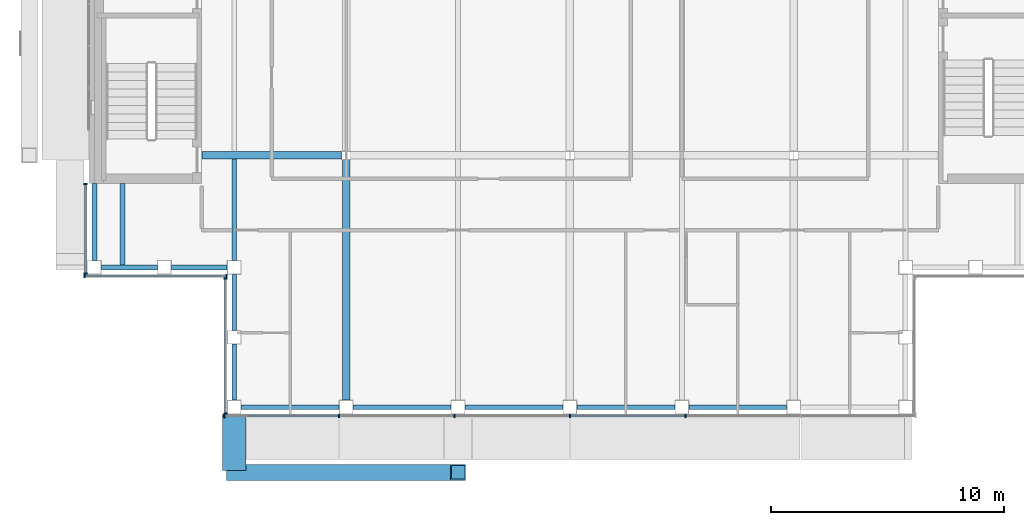
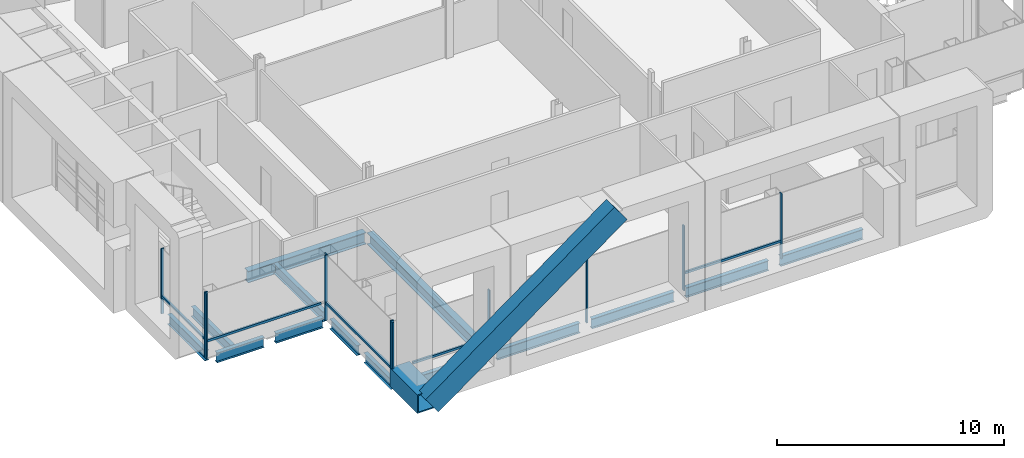
# One storey, part 4 of 23: 17 members, 15 beams, 4 elements without a shape of their own.
"""IFC4 building model written with IfcOpenShell, lengths in metres."""

import ifcopenshell
import ifcopenshell.guid

model = None  # the IFC model being written
_history = None  # IfcOwnerHistory: only IFC2X3 demands one
_inside = {}  # id of a spatial element -> (the spatial element, [elements in it])
_under = {}  # id of a project, library or spatial element -> (it, [spatial elements below it])
_declared = {}  # id of a project -> (the project, [libraries it declares])
_typed = {}  # id of a type object -> (the type object, [elements of that type])
_made_of = {}  # id of a material, layer set ... -> (it, [elements and type objects made of it])


def new_model(schema):
    """Start an empty IFC model of exactly this schema.

    Asked for "IFC4X3", IfcOpenShell would pick the latest addendum, in which some entities
    have other attributes; the version numbers below select the first issue.
    IFC2X3 requires an IfcOwnerHistory on every rooted entity: one is made here for all.
    """
    global model, _history
    if schema == "IFC4X3":
        model = ifcopenshell.file(schema_version=(4, 3, 0, 0))
    else:
        model = ifcopenshell.file(schema=schema)
    _inside.clear()
    _under.clear()
    _declared.clear()
    _typed.clear()
    _made_of.clear()
    _history = None
    if model.schema == "IFC2X3":
        org = make("IfcOrganization", Name="unknown")
        user = make(
            "IfcPersonAndOrganization",
            ThePerson=make("IfcPerson", FamilyName="unknown"),
            TheOrganization=org,
        )
        app = make(
            "IfcApplication",
            ApplicationDeveloper=org,
            Version="unknown",
            ApplicationFullName="unknown",
            ApplicationIdentifier="unknown",
        )
        _history = make(
            "IfcOwnerHistory",
            OwningUser=user,
            OwningApplication=app,
            ChangeAction="ADDED",
            CreationDate=0,
        )
    return model


def make(cls, **values):
    """One entity of the class cls with the attributes given. An attribute that is None is left unset."""
    return model.create_entity(
        cls, **{name: value for name, value in values.items() if value is not None}
    )


def rooted(cls, **values):
    """An entity with a GlobalId (a new one), such as an element, a storey or a relation."""
    return make(cls, GlobalId=ifcopenshell.guid.new(), OwnerHistory=_history, **values)


def si_unit(unit_type, name, prefix=None):
    """IfcSIUnit, for example si_unit("LENGTHUNIT", "METRE", prefix="MILLI")."""
    return make("IfcSIUnit", UnitType=unit_type, Prefix=prefix, Name=name)


def assignment(units):
    """IfcUnitAssignment: the units of a project."""
    return None if units is None else make("IfcUnitAssignment", Units=units)


def point(xyz):
    """IfcCartesianPoint."""
    return None if xyz is None else make("IfcCartesianPoint", Coordinates=xyz)


def direction(xyz):
    """IfcDirection."""
    return None if xyz is None else make("IfcDirection", DirectionRatios=xyz)


def frame(location, z_axis=None, x_axis=None):
    """IfcAxis2Placement3D, a coordinate frame: its origin and axes. An axis left out is left unset."""
    return make(
        "IfcAxis2Placement3D",
        Location=point(location),
        Axis=direction(z_axis),
        RefDirection=direction(x_axis),
    )


def frame_2d(location, x_axis=None):
    """IfcAxis2Placement2D, a coordinate frame in the plane: its origin and x axis."""
    return make(
        "IfcAxis2Placement2D", Location=point(location), RefDirection=direction(x_axis)
    )


def origin():
    """The frame at (0, 0, 0) with its axes left unset."""
    return frame((0.0, 0.0, 0.0))


def origin_2d():
    """The frame at (0, 0) in the plane with its x axis left unset."""
    return frame_2d((0.0, 0.0))


def place(relative_to, where):
    """IfcLocalPlacement: puts the frame where relative to a parent placement (None: the world)."""
    return make(
        "IfcLocalPlacement", PlacementRelTo=relative_to, RelativePlacement=where
    )


def context(
    kind, dimensions, precision=None, world=None, true_north=None, identifier=None
):
    """IfcGeometricRepresentationContext, for example the 3D "Model" context."""
    return make(
        "IfcGeometricRepresentationContext",
        ContextIdentifier=identifier,
        ContextType=kind,
        CoordinateSpaceDimension=dimensions,
        Precision=precision,
        WorldCoordinateSystem=world,
        TrueNorth=true_north,
    )


def subcontext(parent, identifier, kind, view, scale=None):
    """IfcGeometricRepresentationSubContext, for example "Body" below "Model"."""
    return make(
        "IfcGeometricRepresentationSubContext",
        ContextIdentifier=identifier,
        ContextType=kind,
        ParentContext=parent,
        TargetScale=scale,
        TargetView=view,
    )


def project(units=None, contexts=None):
    """IfcProject with its units and contexts."""
    return rooted(
        "IfcProject",
        Name="project",
        RepresentationContexts=contexts,
        UnitsInContext=assignment(units),
    )


def spatial(cls, under=None, at=None, **own):
    """A site, building, storey or space (cls), placed at a placement, below another one or the project."""
    s = rooted(cls, ObjectPlacement=at, **own)
    if under is not None:
        _under.setdefault(under.id(), (under, []))[1].append(s)
    return s


def profile(cls, at=None, kind="AREA", **sizes):
    """A parametric profile (cls). Its sizes go by their IFC names, for example OverallWidth=200.0."""
    return make(cls, ProfileType=kind, Position=at, **sizes)


def rectangle(**sizes):
    """IfcRectangleProfileDef."""
    return profile("IfcRectangleProfileDef", **sizes)


def hollow_rectangle(**sizes):
    """IfcRectangleHollowProfileDef."""
    return profile("IfcRectangleHollowProfileDef", **sizes)


def i_section(**sizes):
    """IfcIShapeProfileDef."""
    return profile("IfcIShapeProfileDef", **sizes)


def extrude(swept, where, along, depth):
    """IfcExtrudedAreaSolid: the profile swept, set in the frame where, extruded along a direction by depth."""
    return make(
        "IfcExtrudedAreaSolid",
        SweptArea=swept,
        Position=where,
        ExtrudedDirection=direction(along),
        Depth=depth,
    )


def shape(context_of_items, identifier, shape_type, items):
    """IfcShapeRepresentation: the items that make up one representation, for example the "Body"."""
    return make(
        "IfcShapeRepresentation",
        ContextOfItems=context_of_items,
        RepresentationIdentifier=identifier,
        RepresentationType=shape_type,
        Items=items,
    )


def material(Name=None, Category=None):
    """IfcMaterial."""
    return make("IfcMaterial", Name=Name, Category=Category)


def material_profile(
    of_material, cross_section, Name=None, Category=None, Priority=None
):
    """IfcMaterialProfile: a cross section and its material."""
    return make(
        "IfcMaterialProfile",
        Name=Name,
        Material=of_material,
        Profile=cross_section,
        Priority=Priority,
        Category=Category,
    )


def profile_set(profiles, Name=None, composite=None):
    """IfcMaterialProfileSet."""
    return make(
        "IfcMaterialProfileSet",
        Name=Name,
        MaterialProfiles=profiles,
        CompositeProfile=composite,
    )


def made_of(thing, what):
    """Note that an element or type object is made of a material, layer set ...; save() writes the relation."""
    if what is not None:
        _made_of.setdefault(what.id(), (what, []))[1].append(thing)
    return thing


def type_object(cls, material=None, **own):
    """A type object (cls), such as IfcWallType, which elements share."""
    return made_of(rooted(cls, **own), material)


def element(
    cls,
    number,
    at=None,
    inside=None,
    cuts=None,
    type_object=None,
    material=None,
    context=None,
    identifier="Body",
    shape_type=None,
    held_by="IfcProductDefinitionShape",
    body=None,
    shapes=None,
    **own,
):
    """One element of the class cls, such as IfcWall. Its Tag is "e" and its number.

    at: its placement. inside: the storey or other place that contains it. cuts: it is an
    opening in that element (IfcRelVoidsElement). A single representation is given by context,
    identifier, shape_type and body (its items); several are given by shapes. held_by: the class
    of the entity that holds the representations. save() writes the other relations.
    """
    e = rooted(cls, Tag="e%d" % number, ObjectPlacement=at, **own)
    if body is not None:
        shapes = [shape(context, identifier, shape_type, body)]
    if shapes is not None:
        e.Representation = make(held_by, Representations=shapes)
    if inside is not None:
        _inside.setdefault(inside.id(), (inside, []))[1].append(e)
    if cuts is not None:
        rooted(
            "IfcRelVoidsElement", RelatingBuildingElement=cuts, RelatedOpeningElement=e
        )
    if type_object is not None:
        _typed.setdefault(type_object.id(), (type_object, []))[1].append(e)
    return made_of(e, material)


def aggregate(whole, parts):
    """IfcRelAggregates: a whole, such as a stair, and the parts it consists of."""
    return rooted("IfcRelAggregates", RelatingObject=whole, RelatedObjects=parts)


def save(model, path):
    """Write the relations noted so far, then the file.

    IfcRelAggregates (storeys below a building ...), IfcRelContainedInSpatialStructure (elements
    in a storey), IfcRelDefinesByType, IfcRelAssociatesMaterial and IfcRelDeclares: one each for
    every whole, place, type object, material and project.
    """
    for whole, parts in _under.values():
        aggregate(whole, parts)
    for where, things in _inside.values():
        rooted(
            "IfcRelContainedInSpatialStructure",
            RelatedElements=things,
            RelatingStructure=where,
        )
    for kind, things in _typed.values():
        rooted("IfcRelDefinesByType", RelatedObjects=things, RelatingType=kind)
    for what, things in _made_of.values():
        rooted("IfcRelAssociatesMaterial", RelatedObjects=things, RelatingMaterial=what)
    for by, libraries in _declared.values():
        rooted("IfcRelDeclares", RelatingContext=by, RelatedDefinitions=libraries)
    model.write(path)


model = new_model("IFC4")

# Units and contexts
model_context = context("Model", 3, precision=1e-05, world=origin(), true_north=direction((0.0, 1.0)))
body_context = subcontext(model_context, "Body", "Model", "MODEL_VIEW")
ifc_project = project(units=[si_unit("LENGTHUNIT", "METRE"), si_unit("AREAUNIT", "SQUARE_METRE"), si_unit("VOLUMEUNIT", "CUBIC_METRE"), si_unit("PLANEANGLEUNIT", "RADIAN"), si_unit("MASSUNIT", "GRAM", prefix="KILO")], contexts=[model_context])

# Site, building, storey
site_placement = place(None, origin())
site = spatial("IfcSite", under=ifc_project, at=site_placement, CompositionType="ELEMENT")
building_placement = place(site_placement, origin())
building = spatial("IfcBuilding", under=site, at=building_placement, Name="Cobrizo Arcos Hotel Tower", CompositionType="ELEMENT")
storey_placement = place(building_placement, frame((0.0, 0.0, 255.0)))
storey = spatial("IfcBuildingStorey", under=building, at=storey_placement, Name="L67", CompositionType="ELEMENT", Elevation=255.0)

# Beam
ifc_material_1 = material(Name="Steel ASTM A572 Grade 50", Category="steel")
ifc_material_profile_1 = material_profile(ifc_material_1, hollow_rectangle(XDim=1.0, YDim=1.0, WallThickness=0.06005859375, at=origin_2d()), Name="BOX 1000X1000X60")
ifc_profile_set_1 = profile_set([ifc_material_profile_1], Name="Steel ASTM A572 Grade 50")
beam_type_1 = type_object("IfcBeamType", Name="BOX 1000X1000X60 brace connector strut", PredefinedType="BEAM", material=ifc_profile_set_1)
beam_1_placement = place(storey_placement, frame((-14.39990234375, -20.68994140625, 0.5), z_axis=(0.0, -1.0, 0.0), x_axis=(1.0, 0.0, 0.0)))
element("IfcBeam", 1, at=beam_1_placement, inside=storey, type_object=beam_type_1, Name="Perimeter brace stub BS1, zone Z5, south face, offset -14.40 m, L67", PredefinedType="BEAM", context=body_context, shape_type="SweptSolid", body=[
    extrude(hollow_rectangle(XDim=1.0, YDim=1.0, WallThickness=0.06005859375, at=origin_2d()), origin(), (0.0, 0.0, 1.0), 2.43017578125),
])

# Member
ifc_material_profile_2 = material_profile(ifc_material_1, hollow_rectangle(XDim=0.699951171875, YDim=1.10009765625, WallThickness=0.06005859375, at=origin_2d()), Name="BOX 700X1100X60")
ifc_profile_set_2 = profile_set([ifc_material_profile_2], Name="Steel ASTM A572 Grade 50")
member_type_1 = type_object("IfcMemberType", Name="BOX 700X1100X60 perimeter brace", PredefinedType="BRACE", material=ifc_profile_set_2)
member_1_placement = place(storey_placement, frame((-14.39990234375, -23.199951171875, 0.5), z_axis=(0.808003250388, 0.0, 0.589178026884), x_axis=(0.0, 1.0, 0.0)))
element("IfcMember", 2, at=member_1_placement, inside=storey, type_object=member_type_1, Name="Perimeter brace PBR5, zone Z5, south face, no. 02", PredefinedType="BRACE", context=body_context, shape_type="SweptSolid", body=[
    extrude(hollow_rectangle(XDim=0.699951171875, YDim=1.10009765625, WallThickness=0.06005859375, at=origin_2d()), origin(), (0.0, 0.0, 1.0), 11.880859375),
])

# Curtain wall, members
ifc_material_2 = material(Name="Aluminium 6063-T6 anodised bronze", Category="aluminium")
curtain_wall_type = type_object("IfcCurtainWallType", Name="CW-A guest facade", PredefinedType="NOTDEFINED", material=ifc_material_2)
curtain_wall_1_placement = place(storey_placement, origin())
curtain_wall_1 = element("IfcCurtainWall", 3, at=curtain_wall_1_placement, inside=storey, type_object=curtain_wall_type, Name="CW-A L67 S face", PredefinedType="NOTDEFINED")
ifc_material_profile_3 = material_profile(ifc_material_2, rectangle(XDim=0.14990234375, YDim=0.06005859375, at=origin_2d()), Name="CW-A mullion 150x60")
ifc_profile_set_3 = profile_set([ifc_material_profile_3], Name="Aluminium 6063-T6 anodised bronze")
member_type_2 = type_object("IfcMemberType", Name="CW-A mullion 150x60", PredefinedType="MULLION", material=ifc_profile_set_3)
member_2_placement = place(storey_placement, frame((-14.820068359375, -20.77490234375, 0.0), z_axis=(0.0, 0.0, 1.0), x_axis=(0.0, -1.0, 0.0)))
member_2 = element("IfcMember", 4, at=member_2_placement, type_object=member_type_2, Name="CW-A mullion 1", PredefinedType="MULLION", context=body_context, shape_type="SweptSolid", body=[
    extrude(rectangle(XDim=0.14990234375, YDim=0.06005859375, at=origin_2d()), origin(), (0.0, 0.0, 1.0), 3.5),
])
member_3_placement = place(storey_placement, frame((-9.89990234375, -20.77490234375, 0.0), z_axis=(0.0, 0.0, 1.0), x_axis=(0.0, -1.0, 0.0)))
member_3 = element("IfcMember", 5, at=member_3_placement, type_object=member_type_2, Name="CW-A mullion 2", PredefinedType="MULLION", context=body_context, shape_type="SweptSolid", body=[
    extrude(rectangle(XDim=0.14990234375, YDim=0.06005859375, at=origin_2d()), origin(), (0.0, 0.0, 1.0), 3.5),
])
member_4_placement = place(storey_placement, frame((-4.949951171875, -20.77490234375, 0.0), z_axis=(0.0, 0.0, 1.0), x_axis=(0.0, -1.0, 0.0)))
member_4 = element("IfcMember", 6, at=member_4_placement, type_object=member_type_2, Name="CW-A mullion 3", PredefinedType="MULLION", context=body_context, shape_type="SweptSolid", body=[
    extrude(rectangle(XDim=0.14990234375, YDim=0.06005859375, at=origin_2d()), origin(), (0.0, 0.0, 1.0), 3.5),
])
member_5_placement = place(storey_placement, frame((0.0, -20.77490234375, 0.0), z_axis=(0.0, 0.0, 1.0), x_axis=(0.0, -1.0, 0.0)))
member_5 = element("IfcMember", 7, at=member_5_placement, type_object=member_type_2, Name="CW-A mullion 4", PredefinedType="MULLION", context=body_context, shape_type="SweptSolid", body=[
    extrude(rectangle(XDim=0.14990234375, YDim=0.06005859375, at=origin_2d()), origin(), (0.0, 0.0, 1.0), 3.5),
])
member_6_placement = place(storey_placement, frame((4.949951171875, -20.77490234375, 0.0), z_axis=(0.0, 0.0, 1.0), x_axis=(0.0, -1.0, 0.0)))
member_6 = element("IfcMember", 8, at=member_6_placement, type_object=member_type_2, Name="CW-A mullion 5", PredefinedType="MULLION", context=body_context, shape_type="SweptSolid", body=[
    extrude(rectangle(XDim=0.14990234375, YDim=0.06005859375, at=origin_2d()), origin(), (0.0, 0.0, 1.0), 3.5),
])

curtain_wall_2_placement = place(storey_placement, origin())
curtain_wall_2 = element("IfcCurtainWall", 9, at=curtain_wall_2_placement, inside=storey, type_object=curtain_wall_type, Name="CW-A L67 W face", PredefinedType="NOTDEFINED")
member_7_placement = place(storey_placement, frame((-20.77490234375, -10.830078125, 0.0), z_axis=(0.0, 0.0, 1.0), x_axis=(-1.0, 0.0, 0.0)))
member_7 = element("IfcMember", 10, at=member_7_placement, type_object=member_type_2, Name="CW-A mullion 1", PredefinedType="MULLION", context=body_context, shape_type="SweptSolid", body=[
    extrude(rectangle(XDim=0.14990234375, YDim=0.06005859375, at=origin_2d()), origin(), (0.0, 0.0, 1.0), 3.5),
])
member_8_placement = place(storey_placement, frame((-20.77490234375, -14.669921875, 0.0), z_axis=(0.0, 0.0, 1.0), x_axis=(-1.0, 0.0, 0.0)))
member_8 = element("IfcMember", 11, at=member_8_placement, type_object=member_type_2, Name="CW-A mullion 2", PredefinedType="MULLION", context=body_context, shape_type="SweptSolid", body=[
    extrude(rectangle(XDim=0.14990234375, YDim=0.06005859375, at=origin_2d()), origin(), (0.0, 0.0, 1.0), 3.5),
])

curtain_wall_3_placement = place(storey_placement, origin())
curtain_wall_3 = element("IfcCurtainWall", 12, at=curtain_wall_3_placement, inside=storey, type_object=curtain_wall_type, Name="CW-A L67 S face", PredefinedType="NOTDEFINED")
member_9_placement = place(storey_placement, frame((-20.820068359375, -14.77490234375, 0.0), z_axis=(0.0, 0.0, 1.0), x_axis=(0.0, -1.0, 0.0)))
member_9 = element("IfcMember", 13, at=member_9_placement, type_object=member_type_2, Name="CW-A mullion 1", PredefinedType="MULLION", context=body_context, shape_type="SweptSolid", body=[
    extrude(rectangle(XDim=0.14990234375, YDim=0.06005859375, at=origin_2d()), origin(), (0.0, 0.0, 1.0), 3.5),
])
member_10_placement = place(storey_placement, frame((-14.72998046875, -14.77490234375, 0.0), z_axis=(0.0, 0.0, 1.0), x_axis=(0.0, -1.0, 0.0)))
member_10 = element("IfcMember", 14, at=member_10_placement, type_object=member_type_2, Name="CW-A mullion 2", PredefinedType="MULLION", context=body_context, shape_type="SweptSolid", body=[
    extrude(rectangle(XDim=0.14990234375, YDim=0.06005859375, at=origin_2d()), origin(), (0.0, 0.0, 1.0), 3.5),
])

curtain_wall_4_placement = place(storey_placement, origin())
curtain_wall_4 = element("IfcCurtainWall", 15, at=curtain_wall_4_placement, inside=storey, type_object=curtain_wall_type, Name="CW-A L67 W face", PredefinedType="NOTDEFINED")
member_11_placement = place(storey_placement, frame((-14.77490234375, -14.8798828125, 0.0), z_axis=(0.0, 0.0, 1.0), x_axis=(-1.0, 0.0, 0.0)))
member_11 = element("IfcMember", 16, at=member_11_placement, type_object=member_type_2, Name="CW-A mullion 1", PredefinedType="MULLION", context=body_context, shape_type="SweptSolid", body=[
    extrude(rectangle(XDim=0.14990234375, YDim=0.06005859375, at=origin_2d()), origin(), (0.0, 0.0, 1.0), 3.5),
])
member_12_placement = place(storey_placement, frame((-14.77490234375, -20.669921875, 0.0), z_axis=(0.0, 0.0, 1.0), x_axis=(-1.0, 0.0, 0.0)))
member_12 = element("IfcMember", 17, at=member_12_placement, type_object=member_type_2, Name="CW-A mullion 2", PredefinedType="MULLION", context=body_context, shape_type="SweptSolid", body=[
    extrude(rectangle(XDim=0.14990234375, YDim=0.06005859375, at=origin_2d()), origin(), (0.0, 0.0, 1.0), 3.5),
])

# Member
ifc_material_profile_4 = material_profile(ifc_material_2, rectangle(XDim=0.10009765625, YDim=0.1201171875, at=origin_2d()), Name="CW-A transom 120x100")
ifc_profile_set_4 = profile_set([ifc_material_profile_4], Name="Aluminium 6063-T6 anodised bronze")
member_type_3 = type_object("IfcMemberType", Name="CW-A transom 120x100", PredefinedType="USERDEFINED", material=ifc_profile_set_4)
member_13_placement = place(storey_placement, frame((-13.800048828125, -20.77490234375, 0.929931640625), z_axis=(1.0, 0.0, 0.0), x_axis=(0.0, 1.0, 0.0)))
member_13 = element("IfcMember", 18, at=member_13_placement, type_object=member_type_3, Name="CW-A transom 2108", ObjectType="TRANSOM", PredefinedType="USERDEFINED", context=body_context, shape_type="SweptSolid", body=[
    extrude(rectangle(XDim=0.10009765625, YDim=0.1201171875, at=origin_2d()), origin(), (0.0, 0.0, 1.0), 3.8701171875),
])

member_14_placement = place(storey_placement, frame((0.030029296875, -20.77490234375, 0.929931640625), z_axis=(1.0, 0.0, 0.0), x_axis=(0.0, 1.0, 0.0)))
member_14 = element("IfcMember", 19, at=member_14_placement, type_object=member_type_3, Name="CW-A transom 2111", ObjectType="TRANSOM", PredefinedType="USERDEFINED", context=body_context, shape_type="SweptSolid", body=[
    extrude(rectangle(XDim=0.10009765625, YDim=0.1201171875, at=origin_2d()), origin(), (0.0, 0.0, 1.0), 4.889892578125),
])

aggregate(curtain_wall_1, [member_2, member_3, member_4, member_5, member_6, member_13, member_14])

member_15_placement = place(storey_placement, frame((-20.77490234375, -10.860107421875, 0.929931640625), z_axis=(0.0, -1.0, 0.0), x_axis=(1.0, 0.0, 0.0)))
member_15 = element("IfcMember", 20, at=member_15_placement, type_object=member_type_3, Name="CW-A transom 2129", ObjectType="TRANSOM", PredefinedType="USERDEFINED", context=body_context, shape_type="SweptSolid", body=[
    extrude(rectangle(XDim=0.10009765625, YDim=0.1201171875, at=origin_2d()), origin(), (0.0, 0.0, 1.0), 3.77978515625),
])

aggregate(curtain_wall_2, [member_7, member_8, member_15])

member_16_placement = place(storey_placement, frame((-20.7900390625, -14.77490234375, 0.929931640625), z_axis=(1.0, 0.0, 0.0), x_axis=(0.0, 1.0, 0.0)))
member_16 = element("IfcMember", 21, at=member_16_placement, type_object=member_type_3, Name="CW-A transom 2130", ObjectType="TRANSOM", PredefinedType="USERDEFINED", context=body_context, shape_type="SweptSolid", body=[
    extrude(rectangle(XDim=0.10009765625, YDim=0.1201171875, at=origin_2d()), origin(), (0.0, 0.0, 1.0), 5.7900390625),
])

aggregate(curtain_wall_3, [member_9, member_10, member_16])

member_17_placement = place(storey_placement, frame((-14.77490234375, -14.909912109375, 0.929931640625), z_axis=(0.0, -1.0, 0.0), x_axis=(1.0, 0.0, 0.0)))
member_17 = element("IfcMember", 22, at=member_17_placement, type_object=member_type_3, Name="CW-A transom 2131", ObjectType="TRANSOM", PredefinedType="USERDEFINED", context=body_context, shape_type="SweptSolid", body=[
    extrude(rectangle(XDim=0.10009765625, YDim=0.1201171875, at=origin_2d()), origin(), (0.0, 0.0, 1.0), 5.68017578125),
])

aggregate(curtain_wall_4, [member_11, member_12, member_17])

# Beams
ifc_material_3 = material(Name="Steel ASTM A992 Grade 50", Category="steel")
ifc_material_profile_5 = material_profile(ifc_material_3, i_section(OverallWidth=0.209228515625, OverallDepth=0.533447265625, WebThickness=0.01025390625, FlangeThickness=0.015625, at=origin_2d()), Name="W21X62")
ifc_profile_set_5 = profile_set([ifc_material_profile_5], Name="Steel ASTM A992 Grade 50")
beam_type_2 = type_object("IfcBeamType", Name="W21X62 joist", PredefinedType="JOIST", material=ifc_profile_set_5)
beam_2_placement = place(storey_placement, frame((-19.199951171875, -14.31005859375, -0.416748046875), z_axis=(0.0, 1.0, 0.0), x_axis=(-1.0, 0.0, 0.0)))
element("IfcBeam", 23, at=beam_2_placement, inside=storey, type_object=beam_type_2, Name="Floor joist J1, L67, no. 001", PredefinedType="JOIST", context=body_context, shape_type="SweptSolid", body=[
    extrude(i_section(OverallWidth=0.209228515625, OverallDepth=0.533447265625, WebThickness=0.01025390625, FlangeThickness=0.015625, at=origin_2d()), origin(), (0.0, 0.0, 1.0), 3.5),
])
beam_3_placement = place(storey_placement, frame((-14.39990234375, -14.10009765625, -0.416748046875), z_axis=(0.0, 1.0, 0.0), x_axis=(-1.0, 0.0, 0.0)))
element("IfcBeam", 24, at=beam_3_placement, inside=storey, type_object=beam_type_2, Name="Floor joist J1, L67, no. 003", PredefinedType="JOIST", context=body_context, shape_type="SweptSolid", body=[
    extrude(i_section(OverallWidth=0.209228515625, OverallDepth=0.533447265625, WebThickness=0.01025390625, FlangeThickness=0.015625, at=origin_2d()), origin(), (0.0, 0.0, 1.0), 4.336181640625),
])
ifc_material_profile_6 = material_profile(ifc_material_3, i_section(OverallWidth=0.209228515625, OverallDepth=0.533447265625, WebThickness=0.01025390625, FlangeThickness=0.015625, at=origin_2d()), Name="W21X62")
ifc_profile_set_6 = profile_set([ifc_material_profile_6], Name="Steel ASTM A992 Grade 50")
beam_type_3 = type_object("IfcBeamType", Name="W21X62 spandrel", PredefinedType="SPANDREL", material=ifc_profile_set_6)
beam_4_placement = place(storey_placement, frame((-14.10009765625, -20.39990234375, -0.416748046875), z_axis=(1.0, 0.0, 0.0), x_axis=(0.0, 1.0, 0.0)))
element("IfcBeam", 25, at=beam_4_placement, inside=storey, type_object=beam_type_3, Name="Spandrel beam W21X62, L67, no. 001", PredefinedType="SPANDREL", context=body_context, shape_type="SweptSolid", body=[
    extrude(i_section(OverallWidth=0.209228515625, OverallDepth=0.533447265625, WebThickness=0.01025390625, FlangeThickness=0.015625, at=origin_2d()), origin(), (0.0, 0.0, 1.0), 4.2001953125),
])
for number, where, z_axis, x_axis, name in (
    (26, (-9.300048828125, -20.39990234375, -0.416748046875), (1.0, 0.0, 0.0), (0.0, 1.0, 0.0), "Spandrel beam W21X62, L67, no. 002"),
    (27, (-4.5, -20.39990234375, -0.416748046875), (1.0, 0.0, 0.0), (0.0, 1.0, 0.0), "Spandrel beam W21X62, L67, no. 003"),
    (28, (0.300048828125, -20.39990234375, -0.416748046875), (1.0, 0.0, 0.0), (0.0, 1.0, 0.0), "Spandrel beam W21X62, L67, no. 004"),
    (29, (5.10009765625, -20.39990234375, -0.416748046875), (1.0, 0.0, 0.0), (0.0, 1.0, 0.0), "Spandrel beam W21X62, L67, no. 005"),
):
    element("IfcBeam", number, at=place(storey_placement, frame(where, z_axis=z_axis, x_axis=x_axis)), inside=storey, type_object=beam_type_3, Name=name, PredefinedType="SPANDREL", context=body_context, shape_type="SweptSolid", body=[
        extrude(i_section(OverallWidth=0.209228515625, OverallDepth=0.533447265625, WebThickness=0.01025390625, FlangeThickness=0.015625, at=origin_2d()), origin(), (0.0, 0.0, 1.0), 4.199951171875),
    ])
beam_5_placement = place(storey_placement, frame((-20.39990234375, -10.81005859375, -0.416748046875), z_axis=(0.0, -1.0, 0.0), x_axis=(1.0, 0.0, 0.0)))
element("IfcBeam", 30, at=beam_5_placement, inside=storey, type_object=beam_type_3, Name="Spandrel beam W21X62, L67, no. 028", PredefinedType="SPANDREL", context=body_context, shape_type="SweptSolid", body=[
    extrude(i_section(OverallWidth=0.209228515625, OverallDepth=0.533447265625, WebThickness=0.01025390625, FlangeThickness=0.015625, at=origin_2d()), origin(), (0.0, 0.0, 1.0), 3.2900390625),
])
for number, where, z_axis, x_axis, name in (
    (31, (-20.10009765625, -14.39990234375, -0.416748046875), (1.0, 0.0, 0.0), (0.0, 1.0, 0.0), "Spandrel beam W21X62, L67, no. 029"),
    (32, (-17.10009765625, -14.39990234375, -0.416748046875), (1.0, 0.0, 0.0), (0.0, 1.0, 0.0), "Spandrel beam W21X62, L67, no. 030"),
    (33, (-14.39990234375, -14.699951171875, -0.416748046875), (0.0, -1.0, 0.0), (1.0, 0.0, 0.0), "Spandrel beam W21X62, L67, no. 031"),
    (34, (-14.39990234375, -17.699951171875, -0.416748046875), (0.0, -1.0, 0.0), (1.0, 0.0, 0.0), "Spandrel beam W21X62, L67, no. 032"),
):
    element("IfcBeam", number, at=place(storey_placement, frame(where, z_axis=z_axis, x_axis=x_axis)), inside=storey, type_object=beam_type_3, Name=name, PredefinedType="SPANDREL", context=body_context, shape_type="SweptSolid", body=[
        extrude(i_section(OverallWidth=0.209228515625, OverallDepth=0.533447265625, WebThickness=0.01025390625, FlangeThickness=0.015625, at=origin_2d()), origin(), (0.0, 0.0, 1.0), 2.400146484375),
    ])
ifc_material_profile_7 = material_profile(ifc_material_3, i_section(OverallWidth=0.32763671875, OverallDepth=0.622314453125, WebThickness=0.015380859375, FlangeThickness=0.0244140625, at=origin_2d()), Name="W24X131")
ifc_profile_set_7 = profile_set([ifc_material_profile_7], Name="Steel ASTM A992 Grade 50")
beam_type_4 = type_object("IfcBeamType", Name="W24X131 girder", PredefinedType="BEAM", material=ifc_profile_set_7)
beam_6_placement = place(storey_placement, frame((-15.7900390625, -9.60009765625, -0.461181640625), z_axis=(1.0, 0.0, 0.0), x_axis=(0.0, 1.0, 0.0)))
element("IfcBeam", 35, at=beam_6_placement, inside=storey, type_object=beam_type_4, Name="Floor girder G1, L67, no. 001", PredefinedType="BEAM", context=body_context, shape_type="SweptSolid", body=[
    extrude(i_section(OverallWidth=0.32763671875, OverallDepth=0.622314453125, WebThickness=0.015380859375, FlangeThickness=0.0244140625, at=origin_2d()), origin(), (0.0, 0.0, 1.0), 6.005859375),
])
beam_7_placement = place(storey_placement, frame((-9.60009765625, -20.10009765625, -0.461181640625), z_axis=(0.0, 1.0, 0.0), x_axis=(-1.0, 0.0, 0.0)))
element("IfcBeam", 36, at=beam_7_placement, inside=storey, type_object=beam_type_4, Name="Floor girder G1, L67, no. 013", PredefinedType="BEAM", context=body_context, shape_type="SweptSolid", body=[
    extrude(i_section(OverallWidth=0.32763671875, OverallDepth=0.622314453125, WebThickness=0.015380859375, FlangeThickness=0.0244140625, at=origin_2d()), origin(), (0.0, 0.0, 1.0), 10.31591796875),
])

save(model, "model.ifc")
